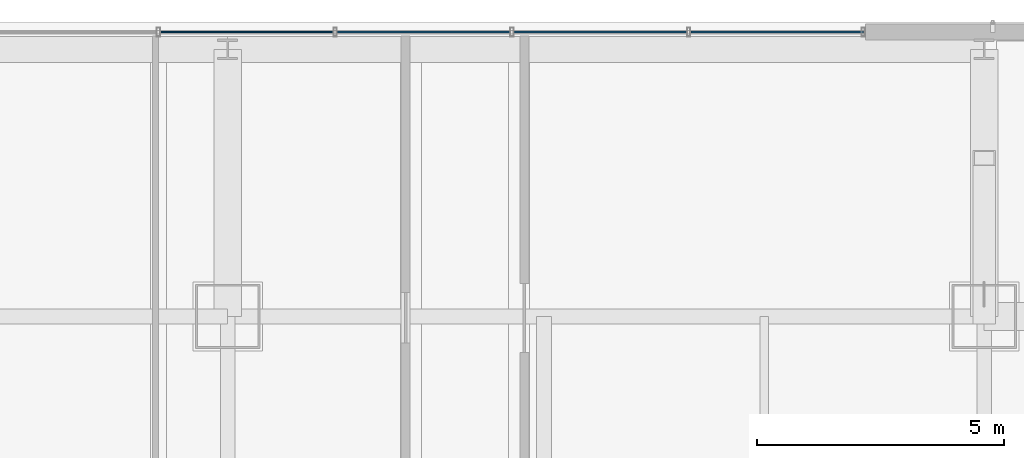
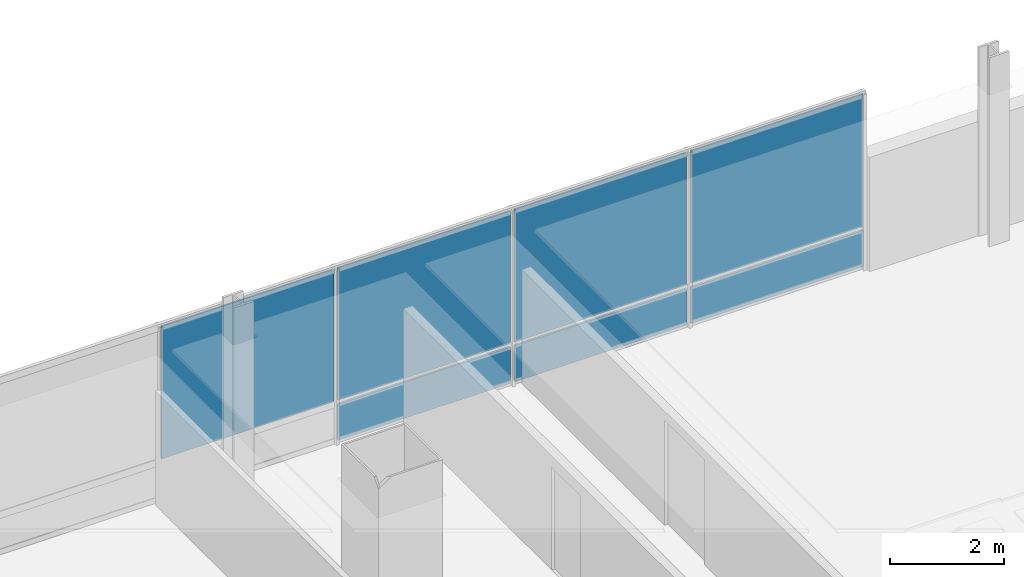
# One storey, part 33 of 51: 7 plates, 1 element without a shape of its own.
"""IFC4 building model written with IfcOpenShell, lengths in metres."""

from ifc_helpers import new_model, si_unit, direction, frame, origin, origin_2d, place, context, subcontext, project, spatial, rectangle, extrude, material, layer, layer_set, type_object, element, aggregate, save


model = new_model("IFC4")

# Units and contexts
model_context = context("Model", 3, precision=1e-05, world=origin(), true_north=direction((0.0, 1.0)))
body_context = subcontext(model_context, "Body", "Model", "MODEL_VIEW")
ifc_project = project(units=[si_unit("LENGTHUNIT", "METRE"), si_unit("AREAUNIT", "SQUARE_METRE"), si_unit("VOLUMEUNIT", "CUBIC_METRE"), si_unit("PLANEANGLEUNIT", "RADIAN"), si_unit("MASSUNIT", "GRAM", prefix="KILO")], contexts=[model_context])

# Site, building, storey
site_placement = place(None, origin())
site = spatial("IfcSite", under=ifc_project, at=site_placement, CompositionType="ELEMENT")
building_placement = place(site_placement, origin())
building = spatial("IfcBuilding", under=site, at=building_placement, Name="Punatoya Terracotta Tower", CompositionType="ELEMENT")
storey_placement = place(building_placement, frame((0.0, 0.0, 279.75)))
storey = spatial("IfcBuildingStorey", under=building, at=storey_placement, Name="L66", CompositionType="ELEMENT", Elevation=279.75)

# Curtain wall, plates
ifc_material_1 = material(Name="Aluminium 6063-T6 + Double Low-E Glass", Category="aluminium")
curtain_wall_type = type_object("IfcCurtainWallType", Name="CW-M3", PredefinedType="NOTDEFINED", material=ifc_material_1)
curtain_wall_placement = place(storey_placement, origin())
curtain_wall = element("IfcCurtainWall", 1, at=curtain_wall_placement, inside=storey, type_object=curtain_wall_type, Name="L66 Curtain Wall CW-L66-N09-1", PredefinedType="NOTDEFINED")
ifc_material_2 = material(Name="Double Low-E Acoustic Vision Glass", Category="glass")
ifc_layer_1 = layer(ifc_material_2, 0.031982421875)
ifc_layer_set_1 = layer_set([ifc_layer_1], Name="Double Low-E Acoustic Vision Glass")
plate_type_1 = type_object("IfcPlateType", Name="PLT-GLZ-32", PredefinedType="CURTAIN_PANEL", material=ifc_layer_set_1)
plate_1_placement = place(storey_placement, frame((14.91259765625, 23.25, 0.89013671875), z_axis=(0.0, 0.0, 1.0), x_axis=(-1.0, 0.0, 0.0)))
plate_1 = element("IfcPlate", 2, at=plate_1_placement, type_object=plate_type_1, Name="CW-L66-N09-1 Vision Glass Panel 1", PredefinedType="CURTAIN_PANEL", context=body_context, shape_type="SweptSolid", body=[
    extrude(rectangle(XDim=3.489990234375, YDim=0.031982421875, at=origin_2d()), origin(), (0.0, 0.0, 1.0), 2.840087890625),
])
plate_2_placement = place(storey_placement, frame((11.33740234375, 23.25, 0.89013671875), z_axis=(0.0, 0.0, 1.0), x_axis=(-1.0, 0.0, 0.0)))
plate_2 = element("IfcPlate", 3, at=plate_2_placement, type_object=plate_type_1, Name="CW-L66-N09-1 Vision Glass Panel 2", PredefinedType="CURTAIN_PANEL", context=body_context, shape_type="SweptSolid", body=[
    extrude(rectangle(XDim=3.489990234375, YDim=0.031982421875, at=origin_2d()), origin(), (0.0, 0.0, 1.0), 2.840087890625),
])
plate_3_placement = place(storey_placement, frame((7.762451171875, 23.25, 0.89013671875), z_axis=(0.0, 0.0, 1.0), x_axis=(-1.0, 0.0, 0.0)))
plate_3 = element("IfcPlate", 4, at=plate_3_placement, type_object=plate_type_1, Name="CW-L66-N09-1 Vision Glass Panel 3", PredefinedType="CURTAIN_PANEL", context=body_context, shape_type="SweptSolid", body=[
    extrude(rectangle(XDim=3.489990234375, YDim=0.031982421875, at=origin_2d()), origin(), (0.0, 0.0, 1.0), 2.840087890625),
])
plate_4_placement = place(storey_placement, frame((4.1875, 23.25, 0.89013671875), z_axis=(0.0, 0.0, 1.0), x_axis=(-1.0, 0.0, 0.0)))
plate_4 = element("IfcPlate", 5, at=plate_4_placement, type_object=plate_type_1, Name="CW-L66-N09-1 Vision Glass Panel 4", PredefinedType="CURTAIN_PANEL", context=body_context, shape_type="SweptSolid", body=[
    extrude(rectangle(XDim=3.489990234375, YDim=0.031982421875, at=origin_2d()), origin(), (0.0, 0.0, 1.0), 2.840087890625),
])
ifc_material_3 = material(Name="Insulated Terracotta-Backed Spandrel Panel", Category="masonry")
ifc_layer_2 = layer(ifc_material_3, 0.044921875)
ifc_layer_set_2 = layer_set([ifc_layer_2], Name="Insulated Terracotta-Backed Spandrel Panel")
plate_type_2 = type_object("IfcPlateType", Name="PLT-SPN-45", PredefinedType="CURTAIN_PANEL", material=ifc_layer_set_2)
plate_5_placement = place(storey_placement, frame((14.91259765625, 23.25, 0.0400390625), z_axis=(0.0, 0.0, 1.0), x_axis=(-1.0, 0.0, 0.0)))
plate_5 = element("IfcPlate", 6, at=plate_5_placement, type_object=plate_type_2, Name="CW-L66-N09-1 Terracotta Spandrel Panel 1", PredefinedType="CURTAIN_PANEL", context=body_context, shape_type="SweptSolid", body=[
    extrude(rectangle(XDim=3.489990234375, YDim=0.044921875, at=origin_2d()), origin(), (0.0, 0.0, 1.0), 0.77490234375),
])
plate_6_placement = place(storey_placement, frame((11.33740234375, 23.25, 0.0400390625), z_axis=(0.0, 0.0, 1.0), x_axis=(-1.0, 0.0, 0.0)))
plate_6 = element("IfcPlate", 7, at=plate_6_placement, type_object=plate_type_2, Name="CW-L66-N09-1 Terracotta Spandrel Panel 2", PredefinedType="CURTAIN_PANEL", context=body_context, shape_type="SweptSolid", body=[
    extrude(rectangle(XDim=3.489990234375, YDim=0.044921875, at=origin_2d()), origin(), (0.0, 0.0, 1.0), 0.77490234375),
])
plate_7_placement = place(storey_placement, frame((7.762451171875, 23.25, 0.0400390625), z_axis=(0.0, 0.0, 1.0), x_axis=(-1.0, 0.0, 0.0)))
plate_7 = element("IfcPlate", 8, at=plate_7_placement, type_object=plate_type_2, Name="CW-L66-N09-1 Terracotta Spandrel Panel 3", PredefinedType="CURTAIN_PANEL", context=body_context, shape_type="SweptSolid", body=[
    extrude(rectangle(XDim=3.489990234375, YDim=0.044921875, at=origin_2d()), origin(), (0.0, 0.0, 1.0), 0.77490234375),
])
aggregate(curtain_wall, [plate_5, plate_1, plate_6, plate_2, plate_7, plate_3, plate_4])

save(model, "model.ifc")
